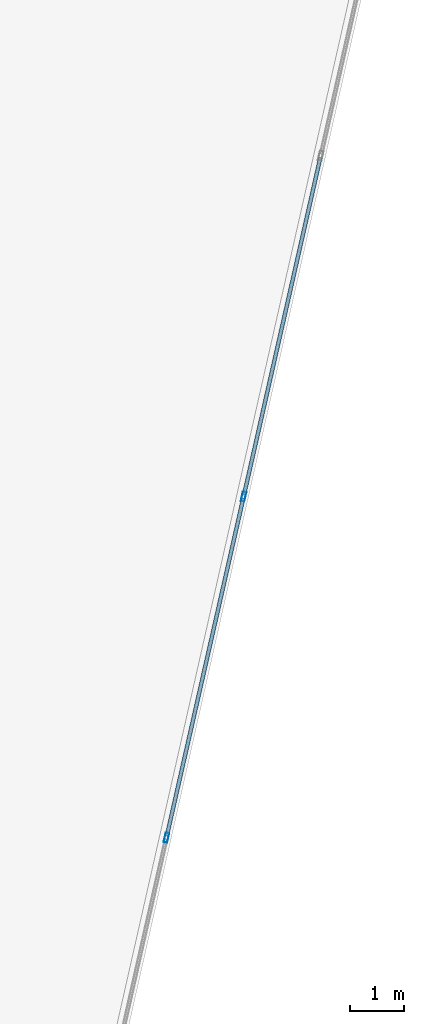
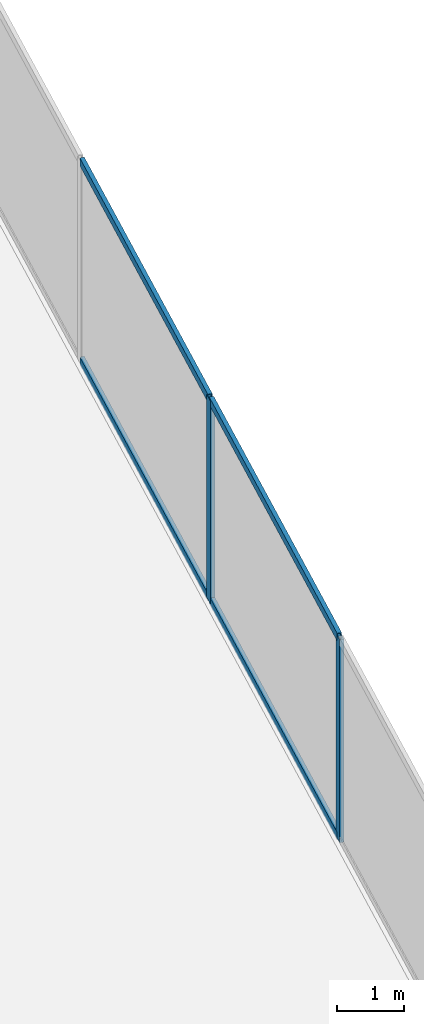
# One storey, part 13 of 27: 6 members, 1 element without a shape of its own.
"""IFC4 building model written with IfcOpenShell, lengths in metres."""

from ifc_helpers import new_model, si_unit, direction, frame, origin, origin_2d, place, context, subcontext, project, spatial, hollow_rectangle, extrude, source, transform, mapped, material, material_profile, profile_set, type_object, type_shapes, element, aggregate, save


model = new_model("IFC4")

# Units and contexts
model_context = context("Model", 3, precision=1e-05, world=origin(), true_north=direction((0.0, 1.0)))
body_context = subcontext(model_context, "Body", "Model", "MODEL_VIEW")
ifc_project = project(units=[si_unit("LENGTHUNIT", "METRE"), si_unit("AREAUNIT", "SQUARE_METRE"), si_unit("VOLUMEUNIT", "CUBIC_METRE"), si_unit("PLANEANGLEUNIT", "RADIAN"), si_unit("MASSUNIT", "GRAM", prefix="KILO")], contexts=[model_context])

# Site, building, storey
site_placement = place(None, origin())
site = spatial("IfcSite", under=ifc_project, at=site_placement, CompositionType="ELEMENT")
building_placement = place(site_placement, origin())
building = spatial("IfcBuilding", under=site, at=building_placement, Name="Krantzveldt Concourse Tower", CompositionType="ELEMENT")
storey_placement = place(building_placement, frame((0.0, 0.0, 86.10009765625)))
storey = spatial("IfcBuildingStorey", under=building, at=storey_placement, Name="L20", CompositionType="ELEMENT", Elevation=86.10009765625)

# Curtain wall, members
ifc_material = material(Name="Anodised aluminium 6063-T6", Category="aluminium")
curtain_wall_type = type_object("IfcCurtainWallType", Name="CW2", PredefinedType="USERDEFINED", material=ifc_material)
curtain_wall_placement = place(storey_placement, origin())
curtain_wall = element("IfcCurtainWall", 1, at=curtain_wall_placement, inside=storey, type_object=curtain_wall_type, Name="CW-L20-F07", ObjectType="UNITISED CURTAIN WALL", PredefinedType="USERDEFINED")
ifc_material_profile_1 = material_profile(ifc_material, hollow_rectangle(XDim=0.070068359375, YDim=0.179931640625, WallThickness=0.0048828125, at=origin_2d()), Name="Anodised aluminium 6063-T6", Category="aluminium")
ifc_profile_set_1 = profile_set([ifc_material_profile_1], Name="Anodised aluminium 6063-T6 - ALU-MULL 180x70x5")
member_type_1 = type_object("IfcMemberType", Name="CW-MUL-180", PredefinedType="MULLION", material=ifc_profile_set_1)
shared_shape_1 = source(origin(), body_context, "Body", "SweptSolid", [
    extrude(hollow_rectangle(XDim=0.070068359375, YDim=0.179931640625, WallThickness=0.0048828125, at=origin_2d()), origin(), (0.0, 0.0, 1.0), 3.669921875),
])
type_shapes(member_type_1, [shared_shape_1])
member_1_placement = place(storey_placement, frame((58.7353515625, 21.555419921875, 0.0), z_axis=(0.0, 0.0, 1.0), x_axis=(-0.975342320609, 0.220697434579, 0.0)))
member_1 = element("IfcMember", 2, at=member_1_placement, type_object=member_type_1, Name="CW-Z12 mullion 4", PredefinedType="MULLION", context=body_context, shape_type="MappedRepresentation", body=[
    mapped(shared_shape_1, transform((0.0, 0.0, 0.0), x_axis=(1.0, 0.0, 0.0), y_axis=(0.0, 1.0, 0.0), z_axis=(0.0, 0.0, 1.0), scale=1.0)),
])
member_2_placement = place(storey_placement, frame((60.162353515625, 27.86279296875, 0.0), z_axis=(0.0, 0.0, 1.0), x_axis=(-0.975342320609, 0.220697434579, 0.0)))
member_2 = element("IfcMember", 3, at=member_2_placement, type_object=member_type_1, Name="CW-Z12 mullion 5", PredefinedType="MULLION", context=body_context, shape_type="MappedRepresentation", body=[
    mapped(shared_shape_1, transform((0.0, 0.0, 0.0), x_axis=(1.0, 0.0, 0.0), y_axis=(0.0, 1.0, 0.0), z_axis=(0.0, 0.0, 1.0), scale=1.0)),
])
ifc_material_profile_2 = material_profile(ifc_material, hollow_rectangle(XDim=0.070068359375, YDim=0.139892578125, WallThickness=0.0048828125, at=origin_2d()), Name="Anodised aluminium 6063-T6", Category="aluminium")
ifc_profile_set_2 = profile_set([ifc_material_profile_2], Name="Anodised aluminium 6063-T6 - ALU-TRAN 140x70x5")
member_type_2 = type_object("IfcMemberType", Name="CW-TRN-150", PredefinedType="USERDEFINED", material=ifc_profile_set_2)
shared_shape_2 = source(origin(), body_context, "Body", "SweptSolid", [
    extrude(hollow_rectangle(XDim=0.070068359375, YDim=0.139892578125, WallThickness=0.0048828125, at=origin_2d()), origin(), (0.0, 0.0, 1.0), 6.396728515625),
])
member_3_placement = place(storey_placement, frame((58.742919921875, 21.589599609375, 0.034912109375), z_axis=(0.220715365874, 0.975338262998, 0.0), x_axis=(-0.975338262998, 0.220715365874, 0.0)))
member_3 = element("IfcMember", 4, at=member_3_placement, type_object=member_type_2, Name="CW-Z12 transom 4.1", ObjectType="TRANSOM", PredefinedType="USERDEFINED", context=body_context, shape_type="MappedRepresentation", body=[
    mapped(shared_shape_2, transform((0.0, 0.0, 0.0), x_axis=(1.0, 0.0, 0.0), y_axis=(0.0, 1.0, 0.0), z_axis=(0.0, 0.0, 1.0), scale=1.0)),
])
member_4_placement = place(storey_placement, frame((58.742919921875, 21.589599609375, 3.635009765625), z_axis=(0.220715365874, 0.975338262998, 0.0), x_axis=(-0.975338262998, 0.220715365874, 0.0)))
member_4 = element("IfcMember", 5, at=member_4_placement, type_object=member_type_2, Name="CW-Z12 transom 4.2", ObjectType="TRANSOM", PredefinedType="USERDEFINED", context=body_context, shape_type="MappedRepresentation", body=[
    mapped(shared_shape_2, transform((0.0, 0.0, 0.0), x_axis=(1.0, 0.0, 0.0), y_axis=(0.0, 1.0, 0.0), z_axis=(0.0, 0.0, 1.0), scale=1.0)),
])
shared_shape_3 = source(origin(), body_context, "Body", "SweptSolid", [
    extrude(hollow_rectangle(XDim=0.070068359375, YDim=0.139892578125, WallThickness=0.0048828125, at=origin_2d()), origin(), (0.0, 0.0, 1.0), 6.396484375),
])
type_shapes(member_type_2, [shared_shape_2, shared_shape_3])
member_5_placement = place(storey_placement, frame((60.170166015625, 27.89697265625, 0.034912109375), z_axis=(0.220687273667, 0.975344619733, 0.0), x_axis=(-0.975344619733, 0.220687273667, 0.0)))
member_5 = element("IfcMember", 6, at=member_5_placement, type_object=member_type_2, Name="CW-Z12 transom 5.1", ObjectType="TRANSOM", PredefinedType="USERDEFINED", context=body_context, shape_type="MappedRepresentation", body=[
    mapped(shared_shape_3, transform((0.0, 0.0, 0.0), x_axis=(1.0, 0.0, 0.0), y_axis=(0.0, 1.0, 0.0), z_axis=(0.0, 0.0, 1.0), scale=1.0)),
])
member_6_placement = place(storey_placement, frame((60.170166015625, 27.89697265625, 3.635009765625), z_axis=(0.220687273667, 0.975344619733, 0.0), x_axis=(-0.975344619733, 0.220687273667, 0.0)))
member_6 = element("IfcMember", 7, at=member_6_placement, type_object=member_type_2, Name="CW-Z12 transom 5.2", ObjectType="TRANSOM", PredefinedType="USERDEFINED", context=body_context, shape_type="MappedRepresentation", body=[
    mapped(shared_shape_3, transform((0.0, 0.0, 0.0), x_axis=(1.0, 0.0, 0.0), y_axis=(0.0, 1.0, 0.0), z_axis=(0.0, 0.0, 1.0), scale=1.0)),
])
aggregate(curtain_wall, [member_1, member_2, member_3, member_4, member_5, member_6])

save(model, "model.ifc")
